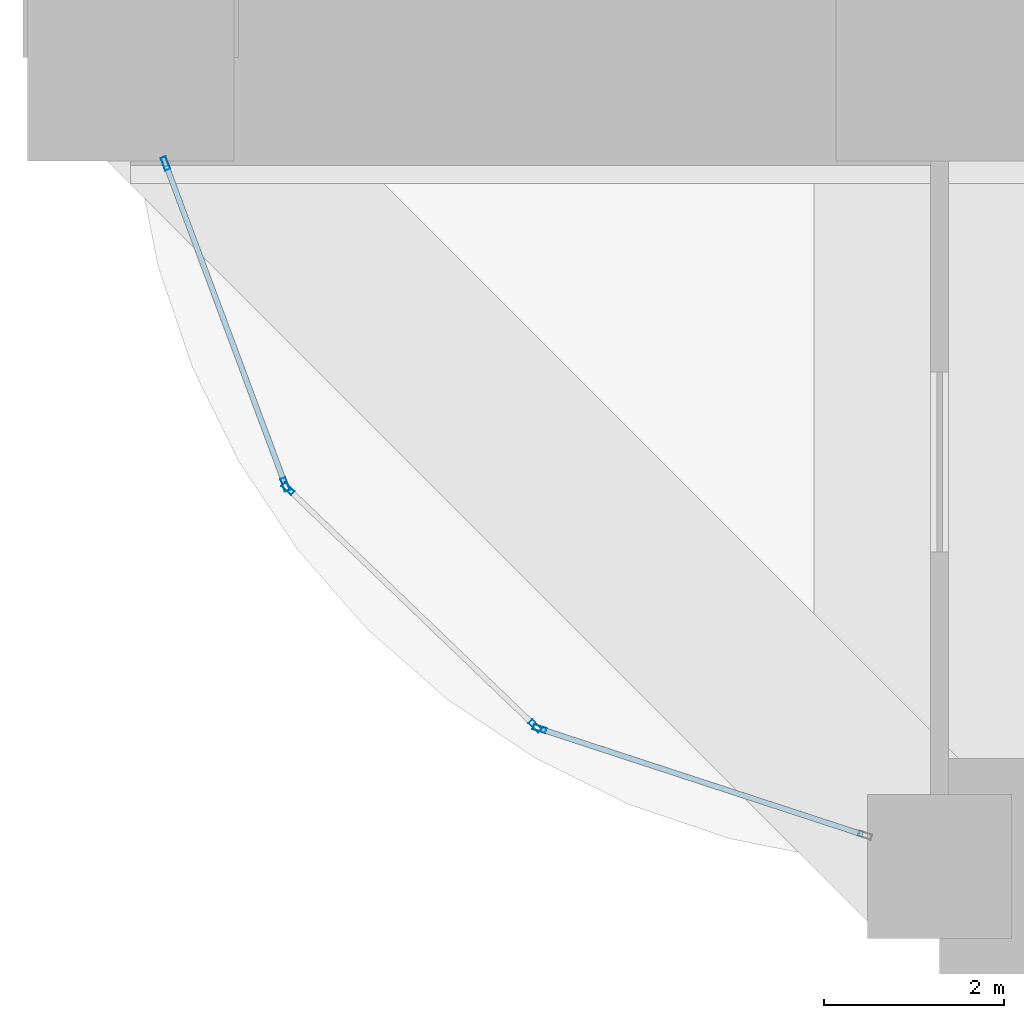
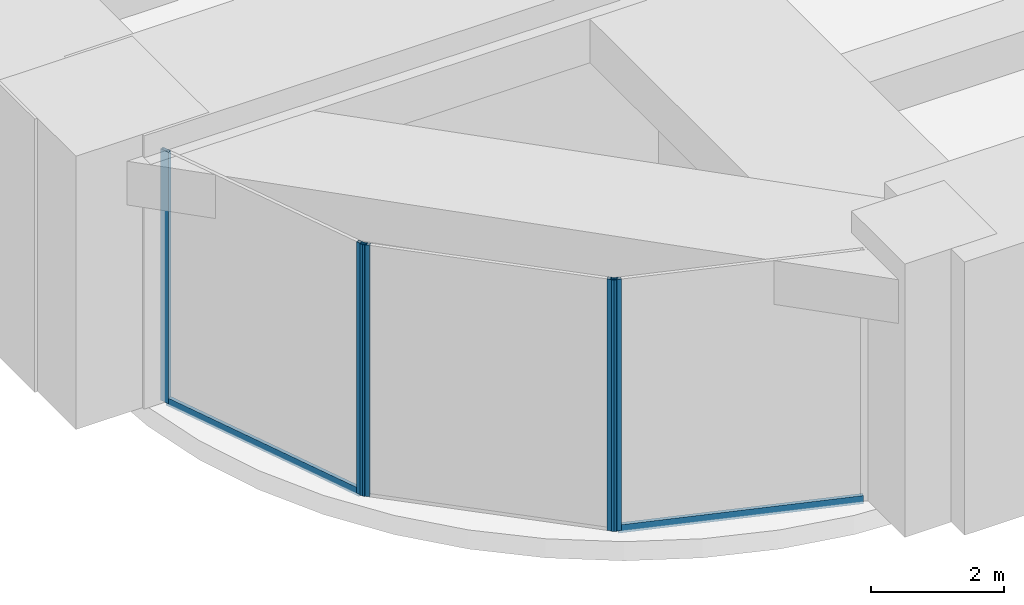
# One storey, part 2 of 32: 7 members, 3 elements without a shape of their own.
"""IFC4 building model written with IfcOpenShell, lengths in metres."""

from ifc_helpers import new_model, si_unit, direction, frame, origin, origin_2d, place, context, subcontext, project, spatial, hollow_rectangle, extrude, material, material_profile, profile_set, type_object, element, aggregate, save


model = new_model("IFC4")

# Units and contexts
model_context = context("Model", 3, precision=1e-05, world=origin(), true_north=direction((0.0, 1.0)))
body_context = subcontext(model_context, "Body", "Model", "MODEL_VIEW")
ifc_project = project(units=[si_unit("LENGTHUNIT", "METRE"), si_unit("AREAUNIT", "SQUARE_METRE"), si_unit("VOLUMEUNIT", "CUBIC_METRE"), si_unit("PLANEANGLEUNIT", "RADIAN"), si_unit("MASSUNIT", "GRAM", prefix="KILO")], contexts=[model_context])

# Site, building, storey
site_placement = place(None, origin())
site = spatial("IfcSite", under=ifc_project, at=site_placement, CompositionType="ELEMENT")
building_placement = place(site_placement, origin())
building = spatial("IfcBuilding", under=site, at=building_placement, Name="Zorevar Civic Tower", CompositionType="ELEMENT")
storey_placement = place(building_placement, frame((0.0, 0.0, 234.39990234375)))
storey = spatial("IfcBuildingStorey", under=building, at=storey_placement, Name="L57", CompositionType="ELEMENT", Elevation=234.39990234375)

# Curtain wall, members
ifc_material_1 = material(Name="Black aluminium louvres", Category="aluminium")
curtain_wall_type = type_object("IfcCurtainWallType", Name="Louvred curtain wall CW6 refuge", PredefinedType="NOTDEFINED", material=ifc_material_1)
curtain_wall_1_placement = place(storey_placement, origin())
curtain_wall_1 = element("IfcCurtainWall", 1, at=curtain_wall_1_placement, inside=storey, type_object=curtain_wall_type, Name="CW6 L57", PredefinedType="NOTDEFINED")
ifc_material_2 = material(Name="Aluminium, black anodised", Category="aluminium")
ifc_material_profile_1 = material_profile(ifc_material_2, hollow_rectangle(XDim=0.06005859375, YDim=0.14990234375, WallThickness=0.00390625, at=origin_2d()), Name="AL 150x60x4")
ifc_profile_set_1 = profile_set([ifc_material_profile_1], Name="Aluminium, black anodised")
member_type_1 = type_object("IfcMemberType", Name="CW6 mullion AL 150x60x4", PredefinedType="MULLION", material=ifc_profile_set_1)
member_1_placement = place(storey_placement, frame((0.386962890625, 7.82177734375, 0.0), z_axis=(0.0, 0.0, 1.0), x_axis=(0.936971773701, 0.349405059046, 0.0)))
member_1 = element("IfcMember", 2, at=member_1_placement, type_object=member_type_1, Name="CW6 mullion 1", PredefinedType="MULLION", context=body_context, shape_type="SweptSolid", body=[
    extrude(hollow_rectangle(XDim=0.06005859375, YDim=0.14990234375, WallThickness=0.00390625, at=origin_2d()), origin(), (0.0, 0.0, 1.0), 4.60009765625),
])
member_2_placement = place(storey_placement, frame((1.718505859375, 4.2509765625, 0.0), z_axis=(0.0, 0.0, 1.0), x_axis=(0.936971773701, 0.349405059046, 0.0)))
member_2 = element("IfcMember", 3, at=member_2_placement, type_object=member_type_1, Name="CW6 mullion 2", PredefinedType="MULLION", context=body_context, shape_type="SweptSolid", body=[
    extrude(hollow_rectangle(XDim=0.06005859375, YDim=0.14990234375, WallThickness=0.00390625, at=origin_2d()), origin(), (0.0, 0.0, 1.0), 4.60009765625),
])

curtain_wall_2_placement = place(storey_placement, origin())
curtain_wall_2 = element("IfcCurtainWall", 4, at=curtain_wall_2_placement, inside=storey, type_object=curtain_wall_type, Name="CW6 L57", PredefinedType="NOTDEFINED")
member_3_placement = place(storey_placement, frame((1.750732421875, 4.2021484375, 0.0), z_axis=(0.0, 0.0, 1.0), x_axis=(0.69266083372, 0.721263453553, 0.0)))
member_3 = element("IfcMember", 5, at=member_3_placement, type_object=member_type_1, Name="CW6 mullion 1", PredefinedType="MULLION", context=body_context, shape_type="SweptSolid", body=[
    extrude(hollow_rectangle(XDim=0.06005859375, YDim=0.14990234375, WallThickness=0.00390625, at=origin_2d()), origin(), (0.0, 0.0, 1.0), 4.60009765625),
])
member_4_placement = place(storey_placement, frame((4.49951171875, 1.562255859375, 0.0), z_axis=(0.0, 0.0, 1.0), x_axis=(0.69266083372, 0.721263453553, 0.0)))
member_4 = element("IfcMember", 6, at=member_4_placement, type_object=member_type_1, Name="CW6 mullion 2", PredefinedType="MULLION", context=body_context, shape_type="SweptSolid", body=[
    extrude(hollow_rectangle(XDim=0.06005859375, YDim=0.14990234375, WallThickness=0.00390625, at=origin_2d()), origin(), (0.0, 0.0, 1.0), 4.60009765625),
])
aggregate(curtain_wall_2, [member_3, member_4])

# Curtain wall, member
curtain_wall_3_placement = place(storey_placement, origin())
curtain_wall_3 = element("IfcCurtainWall", 7, at=curtain_wall_3_placement, inside=storey, type_object=curtain_wall_type, Name="CW6 L57", PredefinedType="NOTDEFINED")
member_5_placement = place(storey_placement, frame((4.549560546875, 1.5322265625, 0.0), z_axis=(0.0, 0.0, 1.0), x_axis=(0.311169307637, 0.9503544928, 0.0)))
member_5 = element("IfcMember", 8, at=member_5_placement, type_object=member_type_1, Name="CW6 mullion 1", PredefinedType="MULLION", context=body_context, shape_type="SweptSolid", body=[
    extrude(hollow_rectangle(XDim=0.06005859375, YDim=0.14990234375, WallThickness=0.00390625, at=origin_2d()), origin(), (0.0, 0.0, 1.0), 4.60009765625),
])

# Member
ifc_material_3 = material(Name="Aluminium, black anodised", Category="aluminium")
ifc_material_profile_2 = material_profile(ifc_material_3, hollow_rectangle(XDim=0.06005859375, YDim=0.14990234375, WallThickness=0.00390625, at=origin_2d()), Name="AL 150x60x4")
ifc_profile_set_2 = profile_set([ifc_material_profile_2], Name="Aluminium, black anodised")
member_type_2 = type_object("IfcMemberType", Name="CW6 transom AL 150x60x4", PredefinedType="USERDEFINED", material=ifc_profile_set_2)
member_6_placement = place(storey_placement, frame((0.3974609375, 7.793701171875, 0.030029296875), z_axis=(0.349382449242, -0.936980204786, 0.0), x_axis=(0.936980204786, 0.349382449242, 0.0)))
member_6 = element("IfcMember", 9, at=member_6_placement, type_object=member_type_2, Name="CW6 sill transom", ObjectType="TRANSOM", PredefinedType="USERDEFINED", context=body_context, shape_type="SweptSolid", body=[
    extrude(hollow_rectangle(XDim=0.06005859375, YDim=0.14990234375, WallThickness=0.00390625, at=origin_2d()), origin(), (0.0, 0.0, 1.0), 3.7509765625),
])

aggregate(curtain_wall_1, [member_1, member_2, member_6])

member_7_placement = place(storey_placement, frame((4.578125, 1.52294921875, 0.030029296875), z_axis=(0.95035549325, -0.311166252105, 0.0), x_axis=(0.311166252105, 0.95035549325, 0.0)))
member_7 = element("IfcMember", 10, at=member_7_placement, type_object=member_type_2, Name="CW6 sill transom", ObjectType="TRANSOM", PredefinedType="USERDEFINED", context=body_context, shape_type="SweptSolid", body=[
    extrude(hollow_rectangle(XDim=0.06005859375, YDim=0.14990234375, WallThickness=0.00390625, at=origin_2d()), origin(), (0.0, 0.0, 1.0), 3.751220703125),
])

aggregate(curtain_wall_3, [member_5, member_7])

save(model, "model.ifc")
